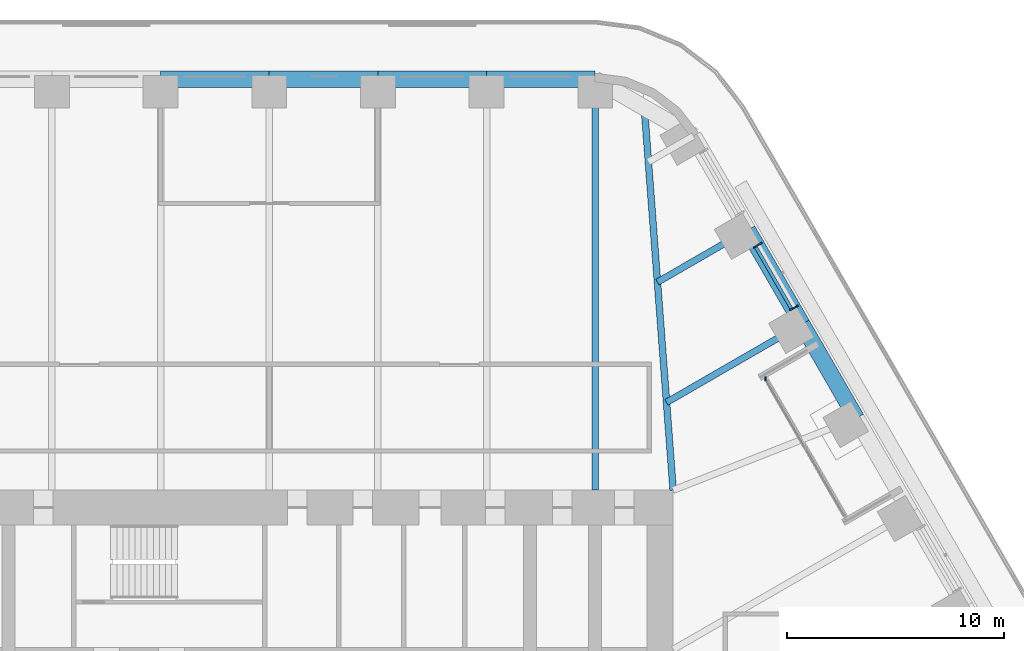
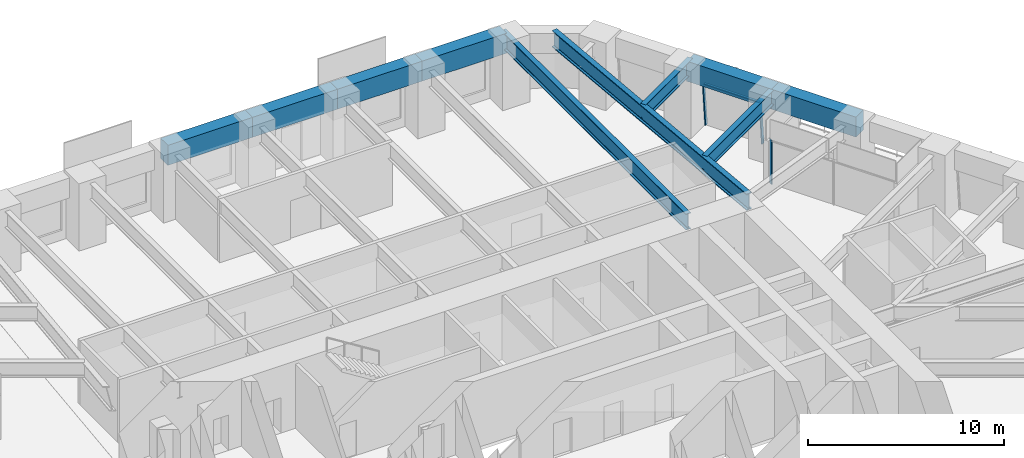
# One storey, part 12 of 24: 10 beams, 4 members, 2 elements without a shape of their own.
"""IFC4 building model written with IfcOpenShell, lengths in metres."""

from ifc_helpers import new_model, si_unit, direction, frame, origin, origin_2d, place, context, subcontext, project, spatial, rectangle, i_section, extrude, material, material_profile, profile_set, type_object, element, aggregate, save


model = new_model("IFC4")

# Units and contexts
model_context = context("Model", 3, precision=1e-05, world=origin(), true_north=direction((0.0, 1.0)))
body_context = subcontext(model_context, "Body", "Model", "MODEL_VIEW")
ifc_project = project(units=[si_unit("LENGTHUNIT", "METRE"), si_unit("AREAUNIT", "SQUARE_METRE"), si_unit("VOLUMEUNIT", "CUBIC_METRE"), si_unit("PLANEANGLEUNIT", "RADIAN"), si_unit("MASSUNIT", "GRAM", prefix="KILO")], contexts=[model_context])

# Site, building, storey
site_placement = place(None, origin())
site = spatial("IfcSite", under=ifc_project, at=site_placement, CompositionType="ELEMENT")
building_placement = place(site_placement, origin())
building = spatial("IfcBuilding", under=site, at=building_placement, Name="Tarfa Lantern Tower", CompositionType="ELEMENT")
storey_placement = place(building_placement, frame((0.0, 0.0, 153.10009765625)))
storey = spatial("IfcBuildingStorey", under=building, at=storey_placement, Name="L34", CompositionType="ELEMENT", Elevation=153.10009765625)

# Curtain wall, members
ifc_material_1 = material(Name="Aluminium framed curtain wall", Category="aluminium")
curtain_wall_type_1 = type_object("IfcCurtainWallType", Name="CW2 CANTED GLAZING MID ZONE 2750", PredefinedType="USERDEFINED", material=ifc_material_1)
curtain_wall_1_placement = place(storey_placement, origin())
curtain_wall_1 = element("IfcCurtainWall", 1, at=curtain_wall_1_placement, inside=storey, type_object=curtain_wall_type_1, Name="CW2 NEB L34", ObjectType="CURTAIN WALL", PredefinedType="USERDEFINED")
ifc_material_2 = material(Name="Aluminium mullion", Category="aluminium")
ifc_material_profile_1 = material_profile(ifc_material_2, rectangle(XDim=0.06494140625, YDim=0.199951171875, at=origin_2d()), Name="AL MULLION 65x200")
ifc_profile_set_1 = profile_set([ifc_material_profile_1], Name="Aluminium mullion")
member_type_1 = type_object("IfcMemberType", Name="CWM1 MULLION 65x200", PredefinedType="MULLION", material=ifc_profile_set_1)
member_1_placement = place(storey_placement, frame((24.275146484375, 20.75439453125, 0.0), z_axis=(-0.078422950161, -0.045267813396, 0.995891894715), x_axis=(0.499919672301, -0.866071776036, 0.0)))
member_1 = element("IfcMember", 2, at=member_1_placement, type_object=member_type_1, Name="CW2 mullion 1", PredefinedType="MULLION", context=body_context, shape_type="SweptSolid", body=[
    extrude(rectangle(XDim=0.06494140625, YDim=0.199951171875, at=origin_2d()), origin(), (0.0, 0.0, 1.0), 2.76123046875),
])
member_2_placement = place(storey_placement, frame((22.605712890625, 23.645751953125, 0.0), z_axis=(-0.078422950161, -0.045267813396, 0.995891894715), x_axis=(0.499919672301, -0.866071776036, 0.0)))
member_2 = element("IfcMember", 3, at=member_2_placement, type_object=member_type_1, Name="CW2 mullion 2", PredefinedType="MULLION", context=body_context, shape_type="SweptSolid", body=[
    extrude(rectangle(XDim=0.06494140625, YDim=0.199951171875, at=origin_2d()), origin(), (0.0, 0.0, 1.0), 2.76123046875),
])

# Curtain wall, member
curtain_wall_type_2 = type_object("IfcCurtainWallType", Name="CW10 LOGGIA GLAZING 2750", PredefinedType="USERDEFINED", material=ifc_material_1)
curtain_wall_2_placement = place(storey_placement, origin())
curtain_wall_2 = element("IfcCurtainWall", 4, at=curtain_wall_2_placement, inside=storey, type_object=curtain_wall_type_2, Name="CW10 NEL L34", ObjectType="CURTAIN WALL", PredefinedType="USERDEFINED")
member_3_placement = place(storey_placement, frame((22.84619140625, 17.429443359375, 0.0), z_axis=(0.0, 0.0, 1.0), x_axis=(1.0, 0.0, 0.0)))
member_3 = element("IfcMember", 5, at=member_3_placement, type_object=member_type_1, Name="CW10 mullion 3", PredefinedType="MULLION", context=body_context, shape_type="SweptSolid", body=[
    extrude(rectangle(XDim=0.06494140625, YDim=0.199951171875, at=origin_2d()), origin(), (0.0, 0.0, 1.0), 2.75),
])
aggregate(curtain_wall_2, [member_3])

# Member
ifc_material_3 = material(Name="Aluminium transom", Category="aluminium")
ifc_material_profile_2 = material_profile(ifc_material_3, rectangle(XDim=0.14990234375, YDim=0.06494140625, at=origin_2d()), Name="AL TRANSOM 150x65")
ifc_profile_set_2 = profile_set([ifc_material_profile_2], Name="Aluminium transom")
member_type_2 = type_object("IfcMemberType", Name="CWT1 TRANSOM 150x65", PredefinedType="USERDEFINED", material=ifc_profile_set_2)
member_4_placement = place(storey_placement, frame((24.044921875, 20.658935546875, 2.71728515625), z_axis=(-0.500012937857, 0.86601793398, 0.0), x_axis=(-0.86601793398, -0.500012937857, 0.0)))
member_4 = element("IfcMember", 6, at=member_4_placement, type_object=member_type_2, Name="CW2 transom 1.2", ObjectType="TRANSOM", PredefinedType="USERDEFINED", context=body_context, shape_type="SweptSolid", body=[
    extrude(rectangle(XDim=0.14990234375, YDim=0.06494140625, at=origin_2d()), origin(), (0.0, 0.0, 1.0), 3.27392578125),
])

aggregate(curtain_wall_1, [member_1, member_2, member_4])

# Beams
ifc_material_4 = material(Name="Concrete C80/95", Category="concrete")
ifc_material_profile_3 = material_profile(ifc_material_4, rectangle(XDim=0.75, YDim=1.25, at=origin_2d()), Name="RC 750x1250")
ifc_profile_set_3 = profile_set([ifc_material_profile_3], Name="Concrete C80/95")
beam_type_1 = type_object("IfcBeamType", Name="EB2 RC 750x1250", PredefinedType="SPANDREL", material=ifc_profile_set_3)
for number, where, z_axis, x_axis, name in (
    (7, (27.037353515625, 15.610107421875, 3.375), (-0.500022324899, 0.866012514114, 0.0), (-0.866012514114, -0.500022324899, 0.0), "Edge beam NE3"),
    (8, (24.535400390625, 19.943359375, 3.375), (-0.49998573051, 0.866033642122, 0.0), (-0.866033642122, -0.49998573051, 0.0), "Edge beam NE4"),
    (9, (15.010986328125, 31.219970703125, 3.375), (-1.0, 0.0, 0.0), (0.0, -1.0, 0.0), "Edge beam N0"),
    (10, (10.00732421875, 31.219970703125, 3.375), (-1.0, 0.0, 0.0), (0.0, -1.0, 0.0), "Edge beam N1"),
    (11, (5.003662109375, 31.219970703125, 3.375), (-1.0, 0.0, 0.0), (0.0, -1.0, 0.0), "Edge beam N2"),
    (12, (0.0, 31.219970703125, 3.375), (-1.0, 0.0, 0.0), (0.0, -1.0, 0.0), "Edge beam N3"),
):
    element("IfcBeam", number, at=place(storey_placement, frame(where, z_axis=z_axis, x_axis=x_axis)), inside=storey, type_object=beam_type_1, Name=name, PredefinedType="SPANDREL", context=body_context, shape_type="SweptSolid", body=[
        extrude(rectangle(XDim=0.75, YDim=1.25, at=origin_2d()), origin(), (0.0, 0.0, 1.0), 5.003662109375),
    ])
ifc_material_5 = material(Name="Steel S460M", Category="steel")
ifc_material_profile_4 = material_profile(ifc_material_5, i_section(OverallWidth=0.302001953125, OverallDepth=1.008056640625, WebThickness=0.02099609375, FlangeThickness=0.0400390625, FilletRadius=0.030029296875, at=origin_2d()), Name="UB1016x305x349")
ifc_profile_set_4 = profile_set([ifc_material_profile_4], Name="Steel S460M")
beam_type_2 = type_object("IfcBeamType", Name="UB1016x305x349", PredefinedType="BEAM", material=ifc_profile_set_4)
beam_1_placement = place(storey_placement, frame((15.010986328125, 31.219970703125, 3.495849609375), z_axis=(0.0, -1.0, 0.0), x_axis=(1.0, 0.0, 0.0)))
element("IfcBeam", 13, at=beam_1_placement, inside=storey, type_object=beam_type_2, Name="Floor beam N0", PredefinedType="BEAM", context=body_context, shape_type="SweptSolid", body=[
    extrude(i_section(OverallWidth=0.302001953125, OverallDepth=1.008056640625, WebThickness=0.02099609375, FlangeThickness=0.0400390625, FilletRadius=0.030029296875, at=origin_2d()), origin(), (0.0, 0.0, 1.0), 18.919921875),
])
ifc_material_profile_5 = material_profile(ifc_material_5, i_section(OverallWidth=0.30859375, OverallDepth=1.036376953125, WebThickness=0.030029296875, FlangeThickness=0.05419921875, FilletRadius=0.030029296875, at=origin_2d()), Name="UB1016x305x487")
ifc_profile_set_5 = profile_set([ifc_material_profile_5], Name="Steel S460M")
beam_type_3 = type_object("IfcBeamType", Name="UB1016x305x487", PredefinedType="BEAM", material=ifc_profile_set_5)
beam_2_placement = place(storey_placement, frame((18.60009765625, 12.300048828125, 3.481689453125), z_axis=(-0.075211516041, 0.99716760269, 0.0), x_axis=(-0.99716760269, -0.075211516041, 0.0)))
element("IfcBeam", 14, at=beam_2_placement, inside=storey, type_object=beam_type_3, Name="Hip girder NE", PredefinedType="BEAM", context=body_context, shape_type="SweptSolid", body=[
    extrude(i_section(OverallWidth=0.30859375, OverallDepth=1.036376953125, WebThickness=0.030029296875, FlangeThickness=0.05419921875, FilletRadius=0.030029296875, at=origin_2d()), origin(), (0.0, 0.0, 1.0), 17.6650390625),
])
ifc_material_profile_6 = material_profile(ifc_material_5, i_section(OverallWidth=0.305419921875, OverallDepth=0.91845703125, WebThickness=0.017333984375, FlangeThickness=0.02783203125, FilletRadius=0.01904296875, at=origin_2d()), Name="UB914x305x253")
ifc_profile_set_6 = profile_set([ifc_material_profile_6], Name="Steel S460M")
beam_type_4 = type_object("IfcBeamType", Name="UB914x305x253", PredefinedType="BEAM", material=ifc_profile_set_6)
beam_3_placement = place(storey_placement, frame((24.535400390625, 19.943359375, 3.540771484375), z_axis=(-0.86602647304, -0.499998147991, 0.0), x_axis=(0.499998147991, -0.86602647304, 0.0)))
element("IfcBeam", 15, at=beam_3_placement, inside=storey, type_object=beam_type_4, Name="Floor beam NE4", PredefinedType="BEAM", context=body_context, shape_type="SweptSolid", body=[
    extrude(i_section(OverallWidth=0.305419921875, OverallDepth=0.91845703125, WebThickness=0.017333984375, FlangeThickness=0.02783203125, FilletRadius=0.01904296875, at=origin_2d()), origin(), (0.0, 0.0, 1.0), 7.20556640625),
])
beam_4_placement = place(storey_placement, frame((22.03369140625, 24.276611328125, 3.540771484375), z_axis=(-0.866030550462, -0.499991085587, 0.0), x_axis=(0.499991085587, -0.866030550462, 0.0)))
element("IfcBeam", 16, at=beam_4_placement, inside=storey, type_object=beam_type_4, Name="Floor beam NE5", PredefinedType="BEAM", context=body_context, shape_type="SweptSolid", body=[
    extrude(i_section(OverallWidth=0.305419921875, OverallDepth=0.91845703125, WebThickness=0.017333984375, FlangeThickness=0.02783203125, FilletRadius=0.01904296875, at=origin_2d()), origin(), (0.0, 0.0, 1.0), 4.798828125),
])

save(model, "model.ifc")
